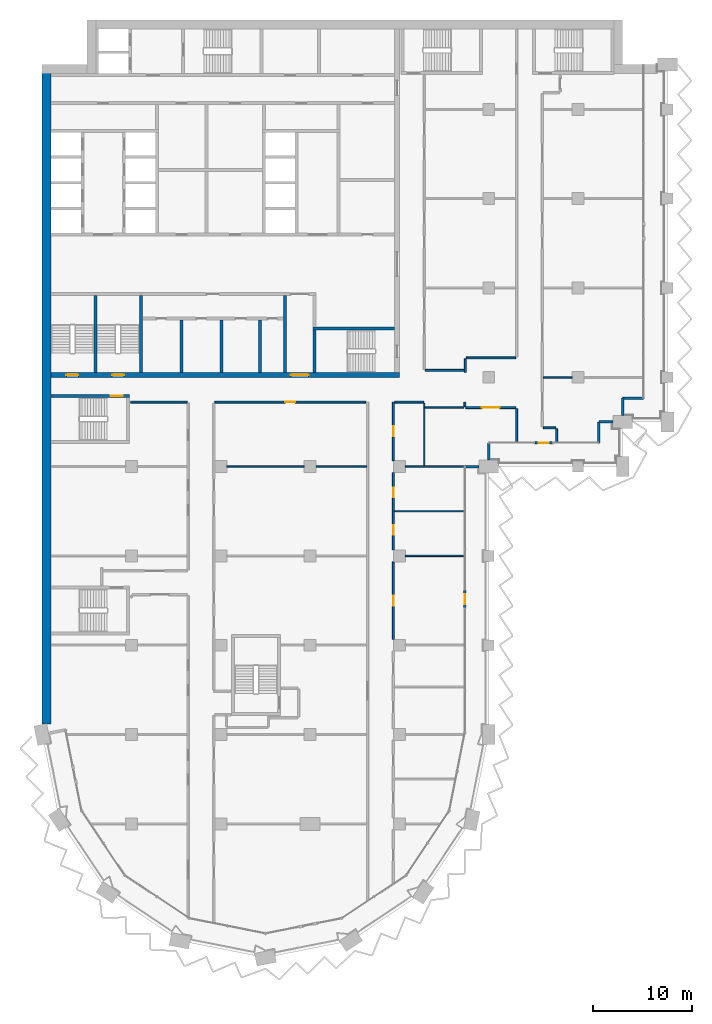
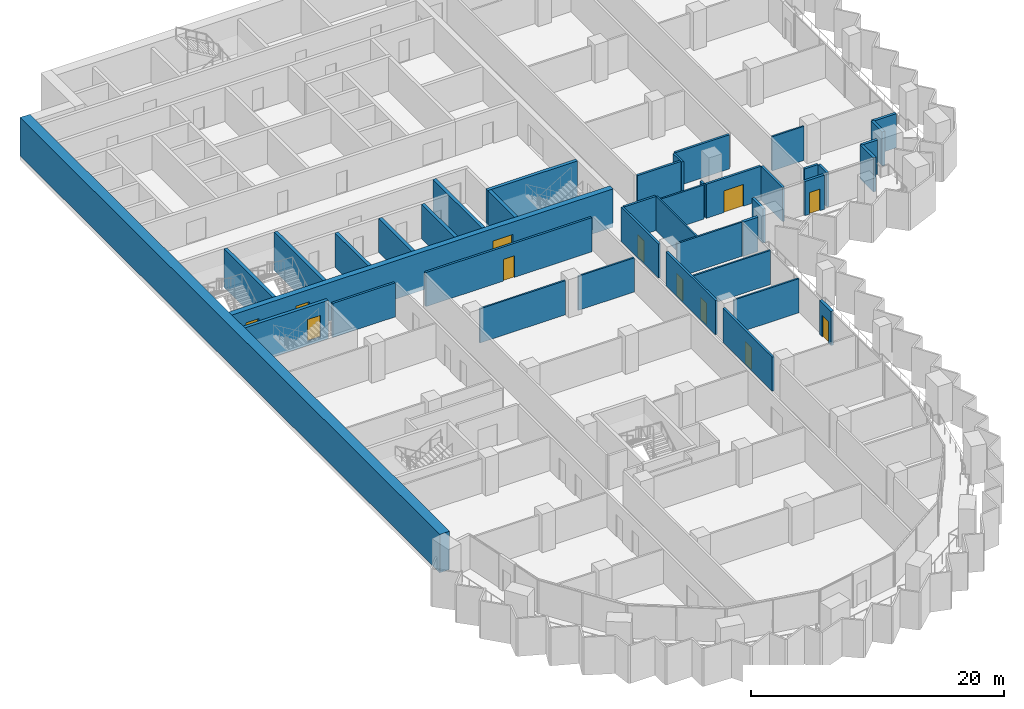
# One storey, part 11 of 22: 41 walls, 12 doors, 12 openings.
"""IFC4 building model written with IfcOpenShell, lengths in metres."""

from ifc_helpers import new_model, si_unit, direction, frame, frame_2d, origin, place, context, subcontext, project, spatial, rectangle, extrude, material, layer, layer_set, type_object, element, fill, save


model = new_model("IFC4")

# Units and contexts
model_context = context("Model", 3, precision=1e-05, world=origin(), true_north=direction((0.0, 1.0)))
body_context = subcontext(model_context, "Body", "Model", "MODEL_VIEW")
ifc_project = project(units=[si_unit("LENGTHUNIT", "METRE"), si_unit("AREAUNIT", "SQUARE_METRE"), si_unit("VOLUMEUNIT", "CUBIC_METRE"), si_unit("PLANEANGLEUNIT", "RADIAN"), si_unit("MASSUNIT", "GRAM", prefix="KILO")], contexts=[model_context])

# Site, building, storey
site_placement = place(None, origin())
site = spatial("IfcSite", under=ifc_project, at=site_placement, CompositionType="ELEMENT")
building_placement = place(site_placement, origin())
building = spatial("IfcBuilding", under=site, at=building_placement, Name="Hunhe Ridgeline Campus", CompositionType="ELEMENT")
storey_placement = place(building_placement, frame((0.0, 0.0, 133.800048828125)))
storey = spatial("IfcBuildingStorey", under=building, at=storey_placement, Name="L33", CompositionType="ELEMENT", Elevation=133.800048828125)

# Walls
ifc_material_1 = material(Name="Masonry concrete blockwork", Category="masonry")
ifc_layer_1 = layer(ifc_material_1, 0.300048828125)
ifc_layer_set_1 = layer_set([ifc_layer_1], Name="Core room partition 300 concrete block")
wall_type_1 = type_object("IfcWallType", Name="Core room partition 300 concrete block", PredefinedType="PARTITIONING", material=ifc_layer_set_1)
for number, where, z_axis, x_axis, name in (
    (1, (14.050048828125, 63.5, 0.0), (0.0, 0.0, 1.0), (0.0, 1.0, 0.0), "L33 core partition 42"),
    (2, (18.050048828125, 63.5, 0.0), (0.0, 0.0, 1.0), (0.0, 1.0, 0.0), "L33 core partition 45"),
    (3, (21.949951171875, 63.5, 0.0), (0.0, 0.0, 1.0), (0.0, 1.0, 0.0), "L33 core partition 47"),
):
    element("IfcWall", number, at=place(storey_placement, frame(where, z_axis=z_axis, x_axis=x_axis)), inside=storey, type_object=wall_type_1, Name=name, PredefinedType="PARTITIONING", context=body_context, shape_type="SweptSolid", body=[
        extrude(rectangle(XDim=5.25, YDim=0.300048828125, at=frame_2d((2.625, 0.0))), origin(), (0.0, 0.0, 1.0), 3.300048828125),
    ])
wall_1_placement = place(storey_placement, frame((24.449951171875, 63.5, 0.0), z_axis=(0.0, 0.0, 1.0), x_axis=(0.0, 1.0, 0.0)))
element("IfcWall", 4, at=wall_1_placement, inside=storey, type_object=wall_type_1, Name="L33 core partition 52", PredefinedType="PARTITIONING", context=body_context, shape_type="SweptSolid", body=[
    extrude(rectangle(XDim=7.75, YDim=0.300048828125, at=frame_2d((3.875, 0.0))), origin(), (0.0, 0.0, 1.0), 3.300048828125),
])

# Wall, openings, doors
ifc_material_2 = material(Name="Concrete C70", Category="concrete")
ifc_layer_2 = layer(ifc_material_2, 0.5)
ifc_layer_set_2 = layer_set([ifc_layer_2], Name="Core wall 500 reinforced concrete C70")
wall_type_2 = type_object("IfcWallType", Name="Core wall 500 reinforced concrete C70", PredefinedType="SOLIDWALL", material=ifc_layer_set_2)
wall_2_placement = place(storey_placement, frame((0.89990234375, 63.25, -0.400146484375), z_axis=(0.0, 0.0, 1.0), x_axis=(1.0, 0.0, 0.0)))
wall_2 = element("IfcWall", 5, at=wall_2_placement, inside=storey, type_object=wall_type_2, Name="L33 core wall 7", PredefinedType="SOLIDWALL", context=body_context, shape_type="SweptSolid", body=[
    extrude(rectangle(XDim=35.10009765625, YDim=0.5, at=frame_2d((17.550048828125, 0.0))), origin(), (0.0, 0.0, 1.0), 3.7001953125),
])
opening_1_placement = place(wall_2_placement, frame((24.14990234375, 0.0, 0.39990234375)))
opening_1 = element("IfcOpeningElement", 6, at=opening_1_placement, cuts=wall_2, Name="Opening CD6", PredefinedType="OPENING", context=body_context, shape_type="SweptSolid", body=[
    extrude(rectangle(XDim=1.800048828125, YDim=2.10009765625, at=frame_2d((0.89990234375, 1.050048828125))), frame((0.0, 0.25, 0.0), z_axis=(0.0, -1.0, 0.0), x_axis=(1.0, 0.0, 0.0)), (0.0, 0.0, 1.0), 0.5),
])
opening_2_placement = place(wall_2_placement, frame((1.550048828125, 0.0, 0.39990234375)))
opening_2 = element("IfcOpeningElement", 7, at=opening_2_placement, cuts=wall_2, Name="Opening CD13", PredefinedType="OPENING", context=body_context, shape_type="SweptSolid", body=[
    extrude(rectangle(XDim=1.199951171875, YDim=2.10009765625, at=frame_2d((0.60009765625, 1.050048828125))), frame((0.0, 0.25, 0.0), z_axis=(0.0, -1.0, 0.0), x_axis=(1.0, 0.0, 0.0)), (0.0, 0.0, 1.0), 0.5),
])
opening_3_placement = place(wall_2_placement, frame((6.14990234375, 0.0, 0.39990234375)))
opening_3 = element("IfcOpeningElement", 8, at=opening_3_placement, cuts=wall_2, Name="Opening CD14", PredefinedType="OPENING", context=body_context, shape_type="SweptSolid", body=[
    extrude(rectangle(XDim=1.199951171875, YDim=2.10009765625, at=frame_2d((0.60009765625, 1.050048828125))), frame((0.0, 0.25, 0.0), z_axis=(0.0, -1.0, 0.0), x_axis=(1.0, 0.0, 0.0)), (0.0, 0.0, 1.0), 0.5),
])
ifc_material_3 = material(Name="Anodised aluminium and glass", Category="aluminium")
door_type_1 = type_object("IfcDoorType", Name="Glazed double door 1800x2100", OperationType="DOUBLE_DOOR_SINGLE_SWING", PredefinedType="DOOR", material=ifc_material_3)
door_1_placement = place(opening_1_placement, frame((1.800048828125, 0.0, 0.0), z_axis=(0.0, 0.0, 1.0), x_axis=(-1.0, 0.0, 0.0)))
door_1 = element("IfcDoor", 9, at=door_1_placement, inside=storey, type_object=door_type_1, Name="L33 door VEST-FLOOR", OperationType="DOUBLE_DOOR_SINGLE_SWING", OverallHeight=2.10009765625, OverallWidth=1.800048828125, PredefinedType="DOOR", context=body_context, shape_type="SweptSolid", body=[
    extrude(rectangle(XDim=1.800048828125, YDim=2.10009765625, at=frame_2d((0.89990234375, 1.050048828125))), frame((0.0, 0.02490234375, 0.0), z_axis=(0.0, -1.0, 0.0), x_axis=(1.0, 0.0, 0.0)), (0.0, 0.0, 1.0), 0.050048828125),
])
fill(opening_1, door_1)
ifc_material_4 = material(Name="Hollow metal fire door leaf")
door_type_2 = type_object("IfcDoorType", Name="Stair door 1200x2100 FD60", OperationType="SINGLE_SWING_LEFT", PredefinedType="DOOR", material=ifc_material_4)
door_2_placement = place(opening_2_placement, frame((1.199951171875, 0.0, 0.0), z_axis=(0.0, 0.0, 1.0), x_axis=(-1.0, 0.0, 0.0)))
door_2 = element("IfcDoor", 10, at=door_2_placement, inside=storey, type_object=door_type_2, Name="L33 door S3", OperationType="SINGLE_SWING_RIGHT", OverallHeight=2.10009765625, OverallWidth=1.199951171875, PredefinedType="DOOR", context=body_context, shape_type="SweptSolid", body=[
    extrude(rectangle(XDim=1.199951171875, YDim=2.10009765625, at=frame_2d((0.60009765625, 1.050048828125))), frame((0.0, 0.02490234375, 0.0), z_axis=(0.0, -1.0, 0.0), x_axis=(1.0, 0.0, 0.0)), (0.0, 0.0, 1.0), 0.050048828125),
])
fill(opening_2, door_2)
door_3_placement = place(opening_3_placement, frame((1.199951171875, 0.0, 0.0), z_axis=(0.0, 0.0, 1.0), x_axis=(-1.0, 0.0, 0.0)))
door_3 = element("IfcDoor", 11, at=door_3_placement, inside=storey, type_object=door_type_2, Name="L33 door S4", OperationType="SINGLE_SWING_LEFT", OverallHeight=2.10009765625, OverallWidth=1.199951171875, PredefinedType="DOOR", context=body_context, shape_type="SweptSolid", body=[
    extrude(rectangle(XDim=1.199951171875, YDim=2.10009765625, at=frame_2d((0.60009765625, 1.050048828125))), frame((0.0, 0.02490234375, 0.0), z_axis=(0.0, -1.0, 0.0), x_axis=(1.0, 0.0, 0.0)), (0.0, 0.0, 1.0), 0.050048828125),
])
fill(opening_3, door_3)

# Walls
ifc_material_5 = material(Name="Concrete C30", Category="concrete")
ifc_layer_3 = layer(ifc_material_5, 0.25)
ifc_layer_set_3 = layer_set([ifc_layer_3], Name="Corner return wall 250 Concrete C30")
wall_type_3 = type_object("IfcWallType", Name="Corner return wall 250 Concrete C30", PredefinedType="SOLIDWALL", material=ifc_layer_set_3)
wall_3_placement = place(storey_placement, frame((42.59912109375, 54.00048828125, 0.0), z_axis=(0.0, 0.0, 1.0), x_axis=(0.999999984814, 0.000174276749, 0.0)))
element("IfcWall", 12, at=wall_3_placement, inside=storey, type_object=wall_type_3, Name="Corner return wall 2", PredefinedType="SOLIDWALL", context=body_context, shape_type="SweptSolid", body=[
    extrude(rectangle(XDim=1.40087890625, YDim=0.25, at=frame_2d((0.700439453125, 0.0))), origin(), (0.0, 0.0, 1.0), 3.300048828125),
])
wall_4_placement = place(storey_placement, frame((44.999267578125, 54.64990234375, 0.0), z_axis=(0.0, 0.0, 1.0), x_axis=(0.000278862231, 0.999999961118, 0.0)))
element("IfcWall", 13, at=wall_4_placement, inside=storey, type_object=wall_type_3, Name="Corner return wall 3", PredefinedType="SOLIDWALL", context=body_context, shape_type="SweptSolid", body=[
    extrude(rectangle(XDim=1.7509765625, YDim=0.25, at=frame_2d((0.87548828125, 0.0))), origin(), (0.0, 0.0, 1.0), 3.300048828125),
])
wall_5_placement = place(storey_placement, frame((56.09912109375, 56.40087890625, 0.0), z_axis=(0.0, 0.0, 1.0), x_axis=(0.00011626555, 0.999999993241, 0.0)))
element("IfcWall", 14, at=wall_5_placement, inside=storey, type_object=wall_type_3, Name="Corner return wall 4", PredefinedType="SOLIDWALL", context=body_context, shape_type="SweptSolid", body=[
    extrude(rectangle(XDim=2.099853515625, YDim=0.25, at=frame_2d((1.0498046875, 0.0))), origin(), (0.0, 0.0, 1.0), 3.300048828125),
])
wall_6_placement = place(storey_placement, frame((56.099365234375, 58.500732421875, 0.0), z_axis=(0.0, 0.0, 1.0), x_axis=(0.999999984809, 0.000174307127, 0.0)))
element("IfcWall", 15, at=wall_6_placement, inside=storey, type_object=wall_type_3, Name="Corner return wall 5", PredefinedType="SOLIDWALL", context=body_context, shape_type="SweptSolid", body=[
    extrude(rectangle(XDim=1.400634765625, YDim=0.25, at=frame_2d((0.7001953125, 0.0))), origin(), (0.0, 0.0, 1.0), 3.300048828125),
])
wall_7_placement = place(storey_placement, frame((58.4990234375, 59.14990234375, 0.0), z_axis=(0.0, 0.0, 1.0), x_axis=(0.000139450563, 0.999999990277, 0.0)))
element("IfcWall", 16, at=wall_7_placement, inside=storey, type_object=wall_type_3, Name="Corner return wall 6", PredefinedType="SOLIDWALL", context=body_context, shape_type="SweptSolid", body=[
    extrude(rectangle(XDim=1.750732421875, YDim=0.25, at=frame_2d((0.87548828125, 0.0))), origin(), (0.0, 0.0, 1.0), 3.300048828125),
])
wall_8_placement = place(storey_placement, frame((58.499267578125, 60.900634765625, 0.0), z_axis=(0.0, 0.0, 1.0), x_axis=(0.999999993241, 0.00011626555, 0.0)))
element("IfcWall", 17, at=wall_8_placement, inside=storey, type_object=wall_type_3, Name="Corner return wall 7", PredefinedType="SOLIDWALL", context=body_context, shape_type="SweptSolid", body=[
    extrude(rectangle(XDim=2.099853515625, YDim=0.25, at=frame_2d((1.0498046875, 0.0))), origin(), (0.0, 0.0, 1.0), 3.300048828125),
])
ifc_material_6 = material(Name="Gypsum board partition")
ifc_layer_4 = layer(ifc_material_6, 0.199951171875)
ifc_layer_set_4 = layer_set([ifc_layer_4], Name="Corridor partition 200 gypsum board on steel studs")
wall_type_4 = type_object("IfcWallType", Name="Corridor partition 200 gypsum board on steel studs", PredefinedType="PARTITIONING", material=ifc_layer_set_4)
wall_9_placement = place(storey_placement, frame((50.5, 57.90087890625, 0.0), z_axis=(0.0, 0.0, 1.0), x_axis=(1.0, 0.0, 0.0)))
element("IfcWall", 18, at=wall_9_placement, inside=storey, type_object=wall_type_4, Name="F-L33-wall-036", PredefinedType="PARTITIONING", context=body_context, shape_type="SweptSolid", body=[
    extrude(rectangle(XDim=1.2490234375, YDim=0.199951171875, at=frame_2d((0.62451171875, 0.0))), origin(), (0.0, 0.0, 1.0), 3.300048828125),
])

# Wall, opening, door
wall_10_placement = place(storey_placement, frame((47.699951171875, 59.950927734375, 0.0), z_axis=(0.0, 0.0, 1.0), x_axis=(-1.0, 0.0, 0.0)))
wall_10 = element("IfcWall", 19, at=wall_10_placement, inside=storey, type_object=wall_type_4, Name="F-L33-wall-038", PredefinedType="PARTITIONING", context=body_context, shape_type="SweptSolid", body=[
    extrude(rectangle(XDim=5.0, YDim=0.199951171875, at=frame_2d((2.5, 0.0))), origin(), (0.0, 0.0, 1.0), 3.300048828125),
])
opening_4_placement = place(wall_10_placement, frame((1.60009765625, 0.0, 0.0)))
opening_4 = element("IfcOpeningElement", 20, at=opening_4_placement, cuts=wall_10, Name="Opening RD2-029", PredefinedType="OPENING", context=body_context, shape_type="SweptSolid", body=[
    extrude(rectangle(XDim=1.800048828125, YDim=2.10009765625, at=frame_2d((0.89990234375, 1.050048828125))), frame((0.0, 0.10009765625, 0.0), z_axis=(0.0, -1.0, 0.0), x_axis=(1.0, 0.0, 0.0)), (0.0, 0.0, 1.0), 0.199951171875),
])
ifc_material_7 = material(Name="Timber door leaf", Category="wood")
door_type_3 = type_object("IfcDoorType", Name="Double fire door 1800x2100 timber FD60", OperationType="DOUBLE_DOOR_SINGLE_SWING", PredefinedType="DOOR", material=ifc_material_7)
door_4_placement = place(opening_4_placement, origin())
door_4 = element("IfcDoor", 21, at=door_4_placement, inside=storey, type_object=door_type_3, Name="F-L33-door-029", OperationType="DOUBLE_DOOR_SINGLE_SWING", OverallHeight=2.10009765625, OverallWidth=1.800048828125, PredefinedType="DOOR", context=body_context, shape_type="SweptSolid", body=[
    extrude(rectangle(XDim=1.800048828125, YDim=2.10009765625, at=frame_2d((0.89990234375, 1.050048828125))), frame((0.0, 0.02490234375, 0.0), z_axis=(0.0, -1.0, 0.0), x_axis=(1.0, 0.0, 0.0)), (0.0, 0.0, 1.0), 0.050048828125),
])
fill(opening_4, door_4)

# Wall
wall_11_placement = place(storey_placement, frame((14.60009765625, 60.5, 0.0), z_axis=(0.0, 0.0, 1.0), x_axis=(-1.0, 0.0, 0.0)))
element("IfcWall", 22, at=wall_11_placement, inside=storey, type_object=wall_type_4, Name="F-L33-wall-039", PredefinedType="PARTITIONING", context=body_context, shape_type="SweptSolid", body=[
    extrude(rectangle(XDim=5.696044921875, YDim=0.199951171875, at=frame_2d((2.84814453125, 0.0))), origin(), (0.0, 0.0, 1.0), 3.300048828125),
])

# Wall, opening, door
wall_12_placement = place(storey_placement, frame((32.580810546875, 60.5, 0.0), z_axis=(0.0, 0.0, 1.0), x_axis=(-1.0, 0.0, 0.0)))
wall_12 = element("IfcWall", 23, at=wall_12_placement, inside=storey, type_object=wall_type_4, Name="F-L33-wall-040", PredefinedType="PARTITIONING", context=body_context, shape_type="SweptSolid", body=[
    extrude(rectangle(XDim=15.180908203125, YDim=0.199951171875, at=frame_2d((7.59033203125, 0.0))), origin(), (0.0, 0.0, 1.0), 3.300048828125),
])
opening_5_placement = place(wall_12_placement, frame((7.09033203125, 0.0, 0.0)))
opening_5 = element("IfcOpeningElement", 24, at=opening_5_placement, cuts=wall_12, Name="Opening RD1-030", PredefinedType="OPENING", context=body_context, shape_type="SweptSolid", body=[
    extrude(rectangle(XDim=1.0, YDim=2.10009765625, at=frame_2d((0.5, 1.050048828125))), frame((0.0, 0.10009765625, 0.0), z_axis=(0.0, -1.0, 0.0), x_axis=(1.0, 0.0, 0.0)), (0.0, 0.0, 1.0), 0.199951171875),
])
door_type_4 = type_object("IfcDoorType", Name="Single fire door 1000x2100 timber FD60", OperationType="NOTDEFINED", PredefinedType="DOOR", material=ifc_material_7)
door_5_placement = place(opening_5_placement, origin())
door_5 = element("IfcDoor", 25, at=door_5_placement, inside=storey, type_object=door_type_4, Name="F-L33-door-030", OperationType="SINGLE_SWING_LEFT", OverallHeight=2.10009765625, OverallWidth=1.0, PredefinedType="DOOR", context=body_context, shape_type="SweptSolid", body=[
    extrude(rectangle(XDim=1.0, YDim=2.10009765625, at=frame_2d((0.5, 1.050048828125))), frame((0.0, 0.02490234375, 0.0), z_axis=(0.0, -1.0, 0.0), x_axis=(1.0, 0.0, 0.0)), (0.0, 0.0, 1.0), 0.050048828125),
])
fill(opening_5, door_5)

# Walls
wall_13_placement = place(storey_placement, frame((38.425048828125, 60.5, 0.0), z_axis=(0.0, 0.0, 1.0), x_axis=(-1.0, 0.0, 0.0)))
element("IfcWall", 26, at=wall_13_placement, inside=storey, type_object=wall_type_4, Name="F-L33-wall-041", PredefinedType="PARTITIONING", context=body_context, shape_type="SweptSolid", body=[
    extrude(rectangle(XDim=2.884765625, YDim=0.199951171875, at=frame_2d((1.4423828125, 0.0))), origin(), (0.0, 0.0, 1.0), 3.300048828125),
])
wall_14_placement = place(storey_placement, frame((38.60009765625, 63.699951171875, 0.0), z_axis=(0.0, 0.0, 1.0), x_axis=(1.0, 0.0, 0.0)))
element("IfcWall", 27, at=wall_14_placement, inside=storey, type_object=wall_type_4, Name="F-L33-wall-044", PredefinedType="PARTITIONING", context=body_context, shape_type="SweptSolid", body=[
    extrude(rectangle(XDim=3.949951171875, YDim=0.199951171875, at=frame_2d((1.97509765625, 0.0))), origin(), (0.0, 0.0, 1.0), 3.300048828125),
])
wall_15_placement = place(storey_placement, frame((42.75, 64.949951171875, 0.0), z_axis=(0.0, 0.0, 1.0), x_axis=(1.0, 0.0, 0.0)))
element("IfcWall", 28, at=wall_15_placement, inside=storey, type_object=wall_type_4, Name="F-L33-wall-045", PredefinedType="PARTITIONING", context=body_context, shape_type="SweptSolid", body=[
    extrude(rectangle(XDim=4.949951171875, YDim=0.199951171875, at=frame_2d((2.47509765625, 0.0))), origin(), (0.0, 0.0, 1.0), 3.300048828125),
])

# Wall, opening, door
wall_16_placement = place(storey_placement, frame((35.39990234375, 44.39990234375, 0.0), z_axis=(0.0, 0.0, 1.0), x_axis=(0.0, -1.0, 0.0)))
wall_16 = element("IfcWall", 29, at=wall_16_placement, inside=storey, type_object=wall_type_4, Name="F-L33-wall-072", PredefinedType="PARTITIONING", context=body_context, shape_type="SweptSolid", body=[
    extrude(rectangle(XDim=7.7998046875, YDim=0.199951171875, at=frame_2d((3.89990234375, 0.0))), origin(), (0.0, 0.0, 1.0), 3.300048828125),
])
opening_6_placement = place(wall_16_placement, frame((3.39990234375, 0.0, 0.0)))
opening_6 = element("IfcOpeningElement", 30, at=opening_6_placement, cuts=wall_16, Name="Opening RD1-017", PredefinedType="OPENING", context=body_context, shape_type="SweptSolid", body=[
    extrude(rectangle(XDim=1.0, YDim=2.10009765625, at=frame_2d((0.5, 1.050048828125))), frame((0.0, 0.10009765625, 0.0), z_axis=(0.0, -1.0, 0.0), x_axis=(1.0, 0.0, 0.0)), (0.0, 0.0, 1.0), 0.199951171875),
])
door_6_placement = place(opening_6_placement, origin())
door_6 = element("IfcDoor", 31, at=door_6_placement, inside=storey, type_object=door_type_4, Name="F-L33-door-017", OperationType="SINGLE_SWING_LEFT", OverallHeight=2.10009765625, OverallWidth=1.0, PredefinedType="DOOR", context=body_context, shape_type="SweptSolid", body=[
    extrude(rectangle(XDim=1.0, YDim=2.10009765625, at=frame_2d((0.5, 1.050048828125))), frame((0.0, 0.02490234375, 0.0), z_axis=(0.0, -1.0, 0.0), x_axis=(1.0, 0.0, 0.0)), (0.0, 0.0, 1.0), 0.050048828125),
])
fill(opening_6, door_6)

# Wall, openings, doors
wall_17_placement = place(storey_placement, frame((35.39990234375, 53.39990234375, 0.0), z_axis=(0.0, 0.0, 1.0), x_axis=(0.0, -1.0, 0.0)))
wall_17 = element("IfcWall", 32, at=wall_17_placement, inside=storey, type_object=wall_type_4, Name="F-L33-wall-073", PredefinedType="PARTITIONING", context=body_context, shape_type="SweptSolid", body=[
    extrude(rectangle(XDim=7.7998046875, YDim=0.199951171875, at=frame_2d((3.89990234375, 0.0))), origin(), (0.0, 0.0, 1.0), 3.300048828125),
])
opening_7_placement = place(wall_17_placement, frame((5.287109375, 0.0, 0.0)))
opening_7 = element("IfcOpeningElement", 33, at=opening_7_placement, cuts=wall_17, Name="Opening RD1-021", PredefinedType="OPENING", context=body_context, shape_type="SweptSolid", body=[
    extrude(rectangle(XDim=1.0, YDim=2.10009765625, at=frame_2d((0.5, 1.050048828125))), frame((0.0, 0.10009765625, 0.0), z_axis=(0.0, -1.0, 0.0), x_axis=(1.0, 0.0, 0.0)), (0.0, 0.0, 1.0), 0.199951171875),
])
opening_8_placement = place(wall_17_placement, frame((1.512939453125, 0.0, 0.0)))
opening_8 = element("IfcOpeningElement", 34, at=opening_8_placement, cuts=wall_17, Name="Opening RD1-024", PredefinedType="OPENING", context=body_context, shape_type="SweptSolid", body=[
    extrude(rectangle(XDim=1.0, YDim=2.10009765625, at=frame_2d((0.5, 1.050048828125))), frame((0.0, 0.10009765625, 0.0), z_axis=(0.0, -1.0, 0.0), x_axis=(1.0, 0.0, 0.0)), (0.0, 0.0, 1.0), 0.199951171875),
])
door_7_placement = place(opening_7_placement, origin())
door_7 = element("IfcDoor", 35, at=door_7_placement, inside=storey, type_object=door_type_4, Name="F-L33-door-021", OperationType="SINGLE_SWING_RIGHT", OverallHeight=2.10009765625, OverallWidth=1.0, PredefinedType="DOOR", context=body_context, shape_type="SweptSolid", body=[
    extrude(rectangle(XDim=1.0, YDim=2.10009765625, at=frame_2d((0.5, 1.050048828125))), frame((0.0, 0.02490234375, 0.0), z_axis=(0.0, -1.0, 0.0), x_axis=(1.0, 0.0, 0.0)), (0.0, 0.0, 1.0), 0.050048828125),
])
fill(opening_7, door_7)
door_8_placement = place(opening_8_placement, origin())
door_8 = element("IfcDoor", 36, at=door_8_placement, inside=storey, type_object=door_type_4, Name="F-L33-door-024", OperationType="SINGLE_SWING_LEFT", OverallHeight=2.10009765625, OverallWidth=1.0, PredefinedType="DOOR", context=body_context, shape_type="SweptSolid", body=[
    extrude(rectangle(XDim=1.0, YDim=2.10009765625, at=frame_2d((0.5, 1.050048828125))), frame((0.0, 0.02490234375, 0.0), z_axis=(0.0, -1.0, 0.0), x_axis=(1.0, 0.0, 0.0)), (0.0, 0.0, 1.0), 0.050048828125),
])
fill(opening_8, door_8)

# Wall, opening, door
wall_18_placement = place(storey_placement, frame((35.39990234375, 60.5, 0.0), z_axis=(0.0, 0.0, 1.0), x_axis=(0.0, -1.0, 0.0)))
wall_18 = element("IfcWall", 37, at=wall_18_placement, inside=storey, type_object=wall_type_4, Name="F-L33-wall-074", PredefinedType="PARTITIONING", context=body_context, shape_type="SweptSolid", body=[
    extrude(rectangle(XDim=5.89990234375, YDim=0.199951171875, at=frame_2d((2.949951171875, 0.0))), origin(), (0.0, 0.0, 1.0), 3.300048828125),
])
opening_9_placement = place(wall_18_placement, frame((2.449951171875, 0.0, 0.0)))
opening_9 = element("IfcOpeningElement", 38, at=opening_9_placement, cuts=wall_18, Name="Opening RD1-028", PredefinedType="OPENING", context=body_context, shape_type="SweptSolid", body=[
    extrude(rectangle(XDim=1.0, YDim=2.10009765625, at=frame_2d((0.5, 1.050048828125))), frame((0.0, 0.10009765625, 0.0), z_axis=(0.0, -1.0, 0.0), x_axis=(1.0, 0.0, 0.0)), (0.0, 0.0, 1.0), 0.199951171875),
])
door_9_placement = place(opening_9_placement, origin())
door_9 = element("IfcDoor", 39, at=door_9_placement, inside=storey, type_object=door_type_4, Name="F-L33-door-028", OperationType="SINGLE_SWING_RIGHT", OverallHeight=2.10009765625, OverallWidth=1.0, PredefinedType="DOOR", context=body_context, shape_type="SweptSolid", body=[
    extrude(rectangle(XDim=1.0, YDim=2.10009765625, at=frame_2d((0.5, 1.050048828125))), frame((0.0, 0.02490234375, 0.0), z_axis=(0.0, -1.0, 0.0), x_axis=(1.0, 0.0, 0.0)), (0.0, 0.0, 1.0), 0.050048828125),
])
fill(opening_9, door_9)

# Walls
wall_19_placement = place(storey_placement, frame((42.60009765625, 60.051025390625, 0.0), z_axis=(0.0, 0.0, 1.0), x_axis=(0.0, 1.0, 0.0)))
element("IfcWall", 40, at=wall_19_placement, inside=storey, type_object=wall_type_4, Name="F-L33-wall-077", PredefinedType="PARTITIONING", context=body_context, shape_type="SweptSolid", body=[
    extrude(rectangle(XDim=0.448974609375, YDim=0.199951171875, at=frame_2d((0.224609375, 0.0))), origin(), (0.0, 0.0, 1.0), 3.300048828125),
])
wall_20_placement = place(storey_placement, frame((42.64990234375, 63.487548828125, 0.0), z_axis=(0.0, 0.0, 1.0), x_axis=(0.0, 1.0, 0.0)))
element("IfcWall", 41, at=wall_20_placement, inside=storey, type_object=wall_type_4, Name="F-L33-wall-078", PredefinedType="PARTITIONING", context=body_context, shape_type="SweptSolid", body=[
    extrude(rectangle(XDim=1.362548828125, YDim=0.199951171875, at=frame_2d((0.68115234375, 0.0))), origin(), (0.0, 0.0, 1.0), 3.300048828125),
])
wall_21_placement = place(storey_placement, frame((47.800048828125, 56.455078125, 0.0), z_axis=(0.0, 0.0, 1.0), x_axis=(0.0, 1.0, 0.0)))
element("IfcWall", 42, at=wall_21_placement, inside=storey, type_object=wall_type_4, Name="F-L33-wall-079", PredefinedType="PARTITIONING", context=body_context, shape_type="SweptSolid", body=[
    extrude(rectangle(XDim=3.39599609375, YDim=0.199951171875, at=frame_2d((1.697998046875, 0.0))), origin(), (0.0, 0.0, 1.0), 3.300048828125),
])
wall_22_placement = place(storey_placement, frame((51.84912109375, 57.801025390625, 0.0), z_axis=(0.0, 0.0, 1.0), x_axis=(0.0, -1.0, 0.0)))
element("IfcWall", 43, at=wall_22_placement, inside=storey, type_object=wall_type_4, Name="F-L33-wall-082", PredefinedType="PARTITIONING", context=body_context, shape_type="SweptSolid", body=[
    extrude(rectangle(XDim=1.345947265625, YDim=0.199951171875, at=frame_2d((0.6728515625, 0.0))), origin(), (0.0, 0.0, 1.0), 3.300048828125),
])

# Wall, opening, door
ifc_layer_5 = layer(ifc_material_5, 0.25)
ifc_layer_set_5 = layer_set([ifc_layer_5], Name="Loggia door pier wall 250 Concrete C30")
wall_type_5 = type_object("IfcWallType", Name="Loggia door pier wall 250 Concrete C30", PredefinedType="SOLIDWALL", material=ifc_layer_set_5)
wall_23_placement = place(storey_placement, frame((42.59912109375, 39.718505859375, 0.0), z_axis=(0.0, 0.0, 1.0), x_axis=(0.0, 1.0, 0.0)))
wall_23 = element("IfcWall", 44, at=wall_23_placement, inside=storey, type_object=wall_type_5, Name="Loggia door pier 3", PredefinedType="SOLIDWALL", context=body_context, shape_type="SweptSolid", body=[
    extrude(rectangle(XDim=1.800048828125, YDim=0.25, at=frame_2d((0.89990234375, 0.0))), origin(), (0.0, 0.0, 1.0), 3.300048828125),
])
opening_10_placement = place(wall_23_placement, frame((0.39990234375, 0.0, 0.0)))
opening_10 = element("IfcOpeningElement", 45, at=opening_10_placement, cuts=wall_23, Name="Opening BD305", PredefinedType="OPENING", context=body_context, shape_type="SweptSolid", body=[
    extrude(rectangle(XDim=1.0, YDim=2.10009765625, at=frame_2d((0.5, 1.050048828125))), frame((0.0, 0.125, 0.0), z_axis=(0.0, -1.0, 0.0), x_axis=(1.0, 0.0, 0.0)), (0.0, 0.0, 1.0), 0.25),
])
ifc_material_8 = material(Name="Aluminium 6063", Category="aluminium")
door_type_5 = type_object("IfcDoorType", Name="Loggia glazed door 1000x2100", OperationType="NOTDEFINED", PredefinedType="DOOR", material=ifc_material_8)
door_10_placement = place(opening_10_placement, frame((1.0, 0.0, 0.0), z_axis=(0.0, 0.0, 1.0), x_axis=(-1.0, 0.0, 0.0)))
door_10 = element("IfcDoor", 46, at=door_10_placement, inside=storey, type_object=door_type_5, Name="Loggia door BD305", OperationType="SINGLE_SWING_RIGHT", OverallHeight=2.10009765625, OverallWidth=1.0, PredefinedType="DOOR", context=body_context, shape_type="SweptSolid", body=[
    extrude(rectangle(XDim=1.0, YDim=2.10009765625, at=frame_2d((0.5, 1.050048828125))), frame((0.0, 0.02490234375, 0.0), z_axis=(0.0, -1.0, 0.0), x_axis=(1.0, 0.0, 0.0)), (0.0, 0.0, 1.0), 0.050048828125),
])
fill(opening_10, door_10)

wall_24_placement = place(storey_placement, frame((49.6494140625, 56.40087890625, 0.0), z_axis=(0.0, 0.0, 1.0), x_axis=(1.0, 0.0, 0.0)))
wall_24 = element("IfcWall", 47, at=wall_24_placement, inside=storey, type_object=wall_type_5, Name="Loggia door pier 4", PredefinedType="SOLIDWALL", context=body_context, shape_type="SweptSolid", body=[
    extrude(rectangle(XDim=1.800048828125, YDim=0.25, at=frame_2d((0.89990234375, 0.0))), origin(), (0.0, 0.0, 1.0), 3.300048828125),
])
opening_11_placement = place(wall_24_placement, frame((0.39990234375, 0.0, 0.0)))
opening_11 = element("IfcOpeningElement", 48, at=opening_11_placement, cuts=wall_24, Name="Opening BD306", PredefinedType="OPENING", context=body_context, shape_type="SweptSolid", body=[
    extrude(rectangle(XDim=1.0, YDim=2.10009765625, at=frame_2d((0.5, 1.050048828125))), frame((0.0, 0.125, 0.0), z_axis=(0.0, -1.0, 0.0), x_axis=(1.0, 0.0, 0.0)), (0.0, 0.0, 1.0), 0.25),
])
door_11_placement = place(opening_11_placement, frame((1.0, 0.0, 0.0), z_axis=(0.0, 0.0, 1.0), x_axis=(-1.0, 0.0, 0.0)))
door_11 = element("IfcDoor", 49, at=door_11_placement, inside=storey, type_object=door_type_5, Name="Loggia door BD306", OperationType="SINGLE_SWING_LEFT", OverallHeight=2.10009765625, OverallWidth=1.0, PredefinedType="DOOR", context=body_context, shape_type="SweptSolid", body=[
    extrude(rectangle(XDim=1.0, YDim=2.10009765625, at=frame_2d((0.5, 1.050048828125))), frame((0.0, 0.02490234375, 0.0), z_axis=(0.0, -1.0, 0.0), x_axis=(1.0, 0.0, 0.0)), (0.0, 0.0, 1.0), 0.050048828125),
])
fill(opening_11, door_11)

# Walls
ifc_layer_6 = layer(ifc_material_6, 0.14990234375)
ifc_layer_set_6 = layer_set([ifc_layer_6], Name="Room partition 150 gypsum board on steel studs")
wall_type_6 = type_object("IfcWallType", Name="Room partition 150 gypsum board on steel studs", PredefinedType="PARTITIONING", material=ifc_layer_set_6)
wall_25_placement = place(storey_placement, frame((36.60009765625, 45.0, 0.0), z_axis=(0.0, 0.0, 1.0), x_axis=(1.0, 0.0, 0.0)))
element("IfcWall", 50, at=wall_25_placement, inside=storey, type_object=wall_type_6, Name="F-L33-wall-029", PredefinedType="PARTITIONING", context=body_context, shape_type="SweptSolid", body=[
    extrude(rectangle(XDim=5.945068359375, YDim=0.14990234375, at=frame_2d((2.97265625, 0.0))), origin(), (0.0, 0.0, 1.0), 3.300048828125),
])
wall_26_placement = place(storey_placement, frame((35.5, 49.5, 0.0), z_axis=(0.0, 0.0, 1.0), x_axis=(1.0, 0.0, 0.0)))
element("IfcWall", 51, at=wall_26_placement, inside=storey, type_object=wall_type_6, Name="F-L33-wall-030", PredefinedType="PARTITIONING", context=body_context, shape_type="SweptSolid", body=[
    extrude(rectangle(XDim=7.045166015625, YDim=0.14990234375, at=frame_2d((3.5224609375, 0.0))), origin(), (0.0, 0.0, 1.0), 3.300048828125),
])
wall_27_placement = place(storey_placement, frame((18.60009765625, 54.0, 0.0), z_axis=(0.0, 0.0, 1.0), x_axis=(1.0, 0.0, 0.0)))
element("IfcWall", 52, at=wall_27_placement, inside=storey, type_object=wall_type_6, Name="F-L33-wall-033", PredefinedType="PARTITIONING", context=body_context, shape_type="SweptSolid", body=[
    extrude(rectangle(XDim=7.7998046875, YDim=0.14990234375, at=frame_2d((3.89990234375, 0.0))), origin(), (0.0, 0.0, 1.0), 3.300048828125),
])
wall_28_placement = place(storey_placement, frame((27.60009765625, 54.0, 0.0), z_axis=(0.0, 0.0, 1.0), x_axis=(1.0, 0.0, 0.0)))
element("IfcWall", 53, at=wall_28_placement, inside=storey, type_object=wall_type_6, Name="F-L33-wall-034", PredefinedType="PARTITIONING", context=body_context, shape_type="SweptSolid", body=[
    extrude(rectangle(XDim=5.099853515625, YDim=0.14990234375, at=frame_2d((2.5498046875, 0.0))), origin(), (0.0, 0.0, 1.0), 3.300048828125),
])
wall_29_placement = place(storey_placement, frame((36.60009765625, 54.0, 0.0), z_axis=(0.0, 0.0, 1.0), x_axis=(1.0, 0.0, 0.0)))
element("IfcWall", 54, at=wall_29_placement, inside=storey, type_object=wall_type_6, Name="F-L33-wall-035", PredefinedType="PARTITIONING", context=body_context, shape_type="SweptSolid", body=[
    extrude(rectangle(XDim=5.945068359375, YDim=0.14990234375, at=frame_2d((2.97265625, 0.0))), origin(), (0.0, 0.0, 1.0), 3.300048828125),
])
wall_30_placement = place(storey_placement, frame((38.574951171875, 59.950927734375, 0.0), z_axis=(0.0, 0.0, 1.0), x_axis=(1.0, 0.0, 0.0)))
element("IfcWall", 55, at=wall_30_placement, inside=storey, type_object=wall_type_6, Name="F-L33-wall-037", PredefinedType="PARTITIONING", context=body_context, shape_type="SweptSolid", body=[
    extrude(rectangle(XDim=3.925048828125, YDim=0.14990234375, at=frame_2d((1.96240234375, 0.0))), origin(), (0.0, 0.0, 1.0), 3.300048828125),
])
wall_31_placement = place(storey_placement, frame((50.5, 63.0, 0.0), z_axis=(0.0, 0.0, 1.0), x_axis=(1.0, 0.0, 0.0)))
element("IfcWall", 56, at=wall_31_placement, inside=storey, type_object=wall_type_6, Name="F-L33-wall-042", PredefinedType="PARTITIONING", context=body_context, shape_type="SweptSolid", body=[
    extrude(rectangle(XDim=2.89990234375, YDim=0.14990234375, at=frame_2d((1.449951171875, 0.0))), origin(), (0.0, 0.0, 1.0), 3.300048828125),
])
wall_32_placement = place(storey_placement, frame((38.5, 60.39990234375, 0.0), z_axis=(0.0, 0.0, 1.0), x_axis=(0.0, -1.0, 0.0)))
element("IfcWall", 57, at=wall_32_placement, inside=storey, type_object=wall_type_6, Name="F-L33-wall-075", PredefinedType="PARTITIONING", context=body_context, shape_type="SweptSolid", body=[
    extrude(rectangle(XDim=6.324951171875, YDim=0.14990234375, at=frame_2d((3.16259765625, 0.0))), origin(), (0.0, 0.0, 1.0), 3.300048828125),
])
ifc_layer_7 = layer(ifc_material_2, 0.89990234375)
ifc_layer_set_7 = layer_set([ifc_layer_7], Name="Spine wall 900 Concrete C70")
wall_type_7 = type_object("IfcWallType", Name="Spine wall 900 Concrete C70", PredefinedType="SHEAR", material=ifc_layer_set_7)
wall_33_placement = place(storey_placement, frame((0.449951171875, 94.5, 0.0), z_axis=(0.0, 0.0, 1.0), x_axis=(0.0, -1.0, 0.0)))
element("IfcWall", 58, at=wall_33_placement, inside=storey, type_object=wall_type_7, Name="Spine wall SW2-1 L33", PredefinedType="SHEAR", context=body_context, shape_type="SweptSolid", body=[
    extrude(rectangle(XDim=66.430419921875, YDim=0.89990234375, at=frame_2d((33.21533203125, 0.0))), origin(), (0.0, 0.0, 1.0), 3.699951171875),
])

# Wall, opening, door
ifc_layer_8 = layer(ifc_material_2, 0.300048828125)
ifc_layer_set_8 = layer_set([ifc_layer_8], Name="Stair wall 300 reinforced concrete C70")
wall_type_8 = type_object("IfcWallType", Name="Stair wall 300 reinforced concrete C70", PredefinedType="SOLIDWALL", material=ifc_layer_set_8)
wall_34_placement = place(storey_placement, frame((0.89990234375, 61.10009765625, -0.400146484375), z_axis=(0.0, 0.0, 1.0), x_axis=(1.0, 0.0, 0.0)))
wall_34 = element("IfcWall", 59, at=wall_34_placement, inside=storey, type_object=wall_type_8, Name="L33 core wall 6", PredefinedType="SOLIDWALL", context=body_context, shape_type="SweptSolid", body=[
    extrude(rectangle(XDim=7.900146484375, YDim=0.300048828125, at=frame_2d((3.9501953125, 0.0))), origin(), (0.0, 0.0, 1.0), 3.7001953125),
])
opening_12_placement = place(wall_34_placement, frame((6.0, 0.0, 0.39990234375)))
opening_12 = element("IfcOpeningElement", 60, at=opening_12_placement, cuts=wall_34, Name="Opening CD22", PredefinedType="OPENING", context=body_context, shape_type="SweptSolid", body=[
    extrude(rectangle(XDim=1.199951171875, YDim=2.10009765625, at=frame_2d((0.60009765625, 1.050048828125))), frame((0.0, 0.14990234375, 0.0), z_axis=(0.0, -1.0, 0.0), x_axis=(1.0, 0.0, 0.0)), (0.0, 0.0, 1.0), 0.300048828125),
])
door_12_placement = place(opening_12_placement, origin())
door_12 = element("IfcDoor", 61, at=door_12_placement, inside=storey, type_object=door_type_2, Name="L33 door W2", OperationType="SINGLE_SWING_RIGHT", OverallHeight=2.10009765625, OverallWidth=1.199951171875, PredefinedType="DOOR", context=body_context, shape_type="SweptSolid", body=[
    extrude(rectangle(XDim=1.199951171875, YDim=2.10009765625, at=frame_2d((0.60009765625, 1.050048828125))), frame((0.0, 0.02490234375, 0.0), z_axis=(0.0, -1.0, 0.0), x_axis=(1.0, 0.0, 0.0)), (0.0, 0.0, 1.0), 0.050048828125),
])
fill(opening_12, door_12)

# Walls
wall_35_placement = place(storey_placement, frame((27.300048828125, 67.89990234375, -0.400146484375), z_axis=(0.0, 0.0, 1.0), x_axis=(1.0, 0.0, 0.0)))
element("IfcWall", 62, at=wall_35_placement, inside=storey, type_object=wall_type_8, Name="L33 core wall 8", PredefinedType="SOLIDWALL", context=body_context, shape_type="SweptSolid", body=[
    extrude(rectangle(XDim=8.199951171875, YDim=0.300048828125, at=frame_2d((4.10009765625, 0.0))), origin(), (0.0, 0.0, 1.0), 3.7001953125),
])
for number, where, z_axis, x_axis, name in (
    (63, (5.35009765625, 63.5, -0.400146484375), (0.0, 0.0, 1.0), (0.0, 1.0, 0.0), "L33 core wall 33"),
    (64, (9.949951171875, 63.5, -0.400146484375), (0.0, 0.0, 1.0), (0.0, 1.0, 0.0), "L33 core wall 39"),
):
    element("IfcWall", number, at=place(storey_placement, frame(where, z_axis=z_axis, x_axis=x_axis)), inside=storey, type_object=wall_type_8, Name=name, PredefinedType="SOLIDWALL", context=body_context, shape_type="SweptSolid", body=[
        extrude(rectangle(XDim=7.75, YDim=0.300048828125, at=frame_2d((3.875, 0.0))), origin(), (0.0, 0.0, 1.0), 3.7001953125),
    ])
wall_36_placement = place(storey_placement, frame((27.449951171875, 63.5, -0.400146484375), z_axis=(0.0, 0.0, 1.0), x_axis=(0.0, 1.0, 0.0)))
element("IfcWall", 65, at=wall_36_placement, inside=storey, type_object=wall_type_8, Name="L33 core wall 54", PredefinedType="SOLIDWALL", context=body_context, shape_type="SweptSolid", body=[
    extrude(rectangle(XDim=4.25, YDim=0.300048828125, at=frame_2d((2.125, 0.0))), origin(), (0.0, 0.0, 1.0), 3.7001953125),
])

save(model, "model.ifc")
